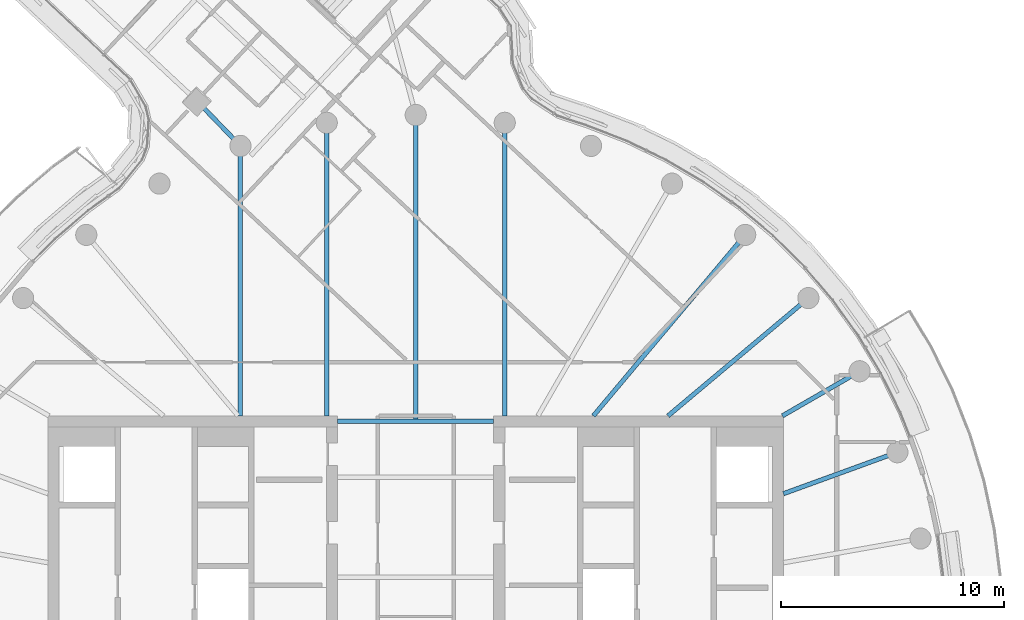
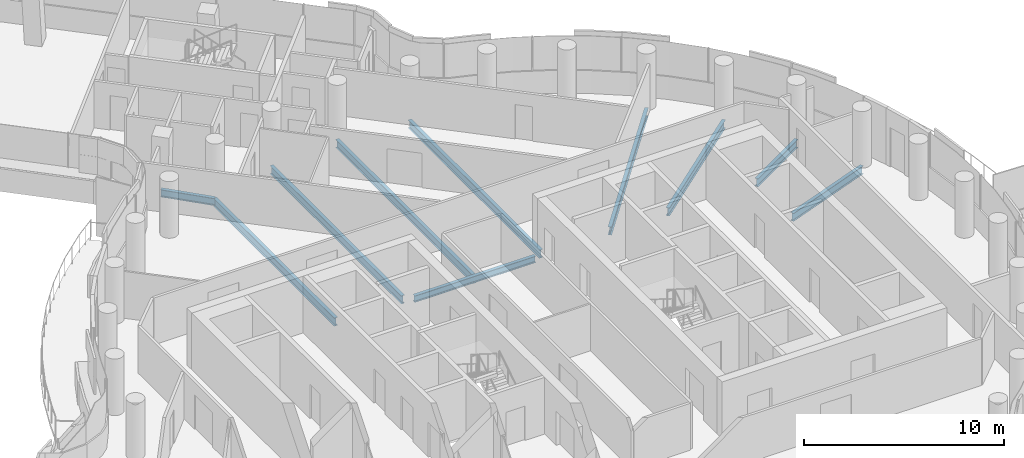
# One storey, part 10 of 30: 10 beams.
"""IFC4 building model written with IfcOpenShell, lengths in metres."""

from ifc_helpers import new_model, si_unit, direction, frame, origin, origin_2d, place, context, subcontext, project, spatial, i_section, extrude, material, material_profile, profile_set, type_object, element, save


model = new_model("IFC4")

# Units and contexts
model_context = context("Model", 3, precision=1e-05, world=origin(), true_north=direction((0.0, 1.0)))
body_context = subcontext(model_context, "Body", "Model", "MODEL_VIEW")
ifc_project = project(units=[si_unit("LENGTHUNIT", "METRE"), si_unit("AREAUNIT", "SQUARE_METRE"), si_unit("VOLUMEUNIT", "CUBIC_METRE"), si_unit("PLANEANGLEUNIT", "RADIAN"), si_unit("MASSUNIT", "GRAM", prefix="KILO")], contexts=[model_context])

# Site, building, storey
site_placement = place(None, origin())
site = spatial("IfcSite", under=ifc_project, at=site_placement, CompositionType="ELEMENT")
building_placement = place(site_placement, origin())
building = spatial("IfcBuilding", under=site, at=building_placement, Name="Tamarind Cross Interchange Tower", CompositionType="ELEMENT")
storey_placement = place(building_placement, frame((0.0, 0.0, 204.10009765625)))
storey = spatial("IfcBuildingStorey", under=building, at=storey_placement, Name="L51", CompositionType="ELEMENT", Elevation=204.10009765625)

# Beams
ifc_material = material(Name="Steel Q355B", Category="steel")
ifc_material_profile_1 = material_profile(ifc_material, i_section(OverallWidth=0.199951171875, OverallDepth=0.39990234375, WebThickness=0.008056640625, FlangeThickness=0.012939453125, FilletRadius=0.01611328125, at=origin_2d()), Name="HN 400x200x8x13")
ifc_profile_set_1 = profile_set([ifc_material_profile_1], Name="Steel Q355B")
beam_type_1 = type_object("IfcBeamType", Name="Composite beam HN 400x200x8x13 Q355B", PredefinedType="BEAM", material=ifc_profile_set_1)
beam_1_placement = place(storey_placement, frame((-3.5, 9.25, -0.340087890625), z_axis=(1.0, 0.0, 0.0), x_axis=(0.0, 1.0, 0.0)))
element("IfcBeam", 1, at=beam_1_placement, inside=storey, type_object=beam_type_1, Name="Beam G9.25", PredefinedType="BEAM", context=body_context, shape_type="SweptSolid", body=[
    extrude(i_section(OverallWidth=0.199951171875, OverallDepth=0.39990234375, WebThickness=0.008056640625, FlangeThickness=0.012939453125, FilletRadius=0.01611328125, at=origin_2d()), origin(), (0.0, 0.0, 1.0), 7.0),
])
ifc_material_profile_2 = material_profile(ifc_material, i_section(OverallWidth=0.198974609375, OverallDepth=0.446044921875, WebThickness=0.008056640625, FlangeThickness=0.011962890625, FilletRadius=0.012939453125, at=origin_2d()), Name="HN 446x199x8x12")
ifc_profile_set_2 = profile_set([ifc_material_profile_2], Name="Steel Q355B")
beam_type_2 = type_object("IfcBeamType", Name="Composite beam HN 446x199x8x12 Q355B", PredefinedType="BEAM", material=ifc_profile_set_2)
beam_2_placement = place(storey_placement, frame((-9.82177734375, 23.635498046875, -0.363037109375), z_axis=(0.695072940723, -0.718939223492, 0.0), x_axis=(0.718939223492, 0.695072940723, 0.0)))
element("IfcBeam", 2, at=beam_2_placement, inside=storey, type_object=beam_type_2, Name="Beam N-linkep", PredefinedType="BEAM", context=body_context, shape_type="SweptSolid", body=[
    extrude(i_section(OverallWidth=0.198974609375, OverallDepth=0.446044921875, WebThickness=0.008056640625, FlangeThickness=0.011962890625, FilletRadius=0.012939453125, at=origin_2d()), origin(), (0.0, 0.0, 1.0), 2.813232421875),
])
ifc_material_profile_3 = material_profile(ifc_material, i_section(OverallWidth=0.198974609375, OverallDepth=0.49609375, WebThickness=0.009033203125, FlangeThickness=0.013916015625, FilletRadius=0.012939453125, at=origin_2d()), Name="HN 496x199x9x14")
ifc_profile_set_3 = profile_set([ifc_material_profile_3], Name="Steel Q355B")
beam_type_3 = type_object("IfcBeamType", Name="Composite beam HN 496x199x9x14 Q355B", PredefinedType="BEAM", material=ifc_profile_set_3)
beam_3_placement = place(storey_placement, frame((21.613037109375, 7.866455078125, -0.38818359375), z_axis=(-0.939701685589, -0.341995236956, 0.0), x_axis=(0.341995236956, -0.939701685589, 0.0)))
element("IfcBeam", 3, at=beam_3_placement, inside=storey, type_object=beam_type_3, Name="Beam HH02", PredefinedType="BEAM", context=body_context, shape_type="SweptSolid", body=[
    extrude(i_section(OverallWidth=0.198974609375, OverallDepth=0.49609375, WebThickness=0.009033203125, FlangeThickness=0.013916015625, FilletRadius=0.012939453125, at=origin_2d()), origin(), (0.0, 0.0, 1.0), 5.441162109375),
])
beam_4_placement = place(storey_placement, frame((19.918701171875, 11.5, -0.38818359375), z_axis=(-0.866026010844, -0.49999894854, 0.0), x_axis=(0.49999894854, -0.866026010844, 0.0)))
element("IfcBeam", 4, at=beam_4_placement, inside=storey, type_object=beam_type_3, Name="Beam HH03", PredefinedType="BEAM", context=body_context, shape_type="SweptSolid", body=[
    extrude(i_section(OverallWidth=0.198974609375, OverallDepth=0.49609375, WebThickness=0.009033203125, FlangeThickness=0.013916015625, FilletRadius=0.012939453125, at=origin_2d()), origin(), (0.0, 0.0, 1.0), 4.0),
])
beam_5_placement = place(storey_placement, frame((17.619140625, 14.7841796875, -0.38818359375), z_axis=(-0.766040580814, -0.642792212574, 0.0), x_axis=(0.642792212574, -0.766040580814, 0.0)))
element("IfcBeam", 5, at=beam_5_placement, inside=storey, type_object=beam_type_3, Name="Beam HH04", PredefinedType="BEAM", context=body_context, shape_type="SweptSolid", body=[
    extrude(i_section(OverallWidth=0.198974609375, OverallDepth=0.49609375, WebThickness=0.009033203125, FlangeThickness=0.013916015625, FilletRadius=0.012939453125, at=origin_2d()), origin(), (0.0, 0.0, 1.0), 8.220703125),
])
beam_6_placement = place(storey_placement, frame((14.7841796875, 17.619140625, -0.38818359375), z_axis=(-0.642786293979, -0.766045547127, 0.0), x_axis=(0.766045547127, -0.642786293979, 0.0)))
element("IfcBeam", 6, at=beam_6_placement, inside=storey, type_object=beam_type_3, Name="Beam HH05", PredefinedType="BEAM", context=body_context, shape_type="SweptSolid", body=[
    extrude(i_section(OverallWidth=0.198974609375, OverallDepth=0.49609375, WebThickness=0.009033203125, FlangeThickness=0.013916015625, FilletRadius=0.012939453125, at=origin_2d()), origin(), (0.0, 0.0, 1.0), 10.598876953125),
])
beam_7_placement = place(storey_placement, frame((3.993896484375, 22.650634765625, -0.38818359375), z_axis=(0.0, -1.0, 0.0), x_axis=(1.0, 0.0, 0.0)))
element("IfcBeam", 7, at=beam_7_placement, inside=storey, type_object=beam_type_3, Name="Beam HH08", PredefinedType="BEAM", context=body_context, shape_type="SweptSolid", body=[
    extrude(i_section(OverallWidth=0.198974609375, OverallDepth=0.49609375, WebThickness=0.009033203125, FlangeThickness=0.013916015625, FilletRadius=0.012939453125, at=origin_2d()), origin(), (0.0, 0.0, 1.0), 13.150634765625),
])
beam_8_placement = place(storey_placement, frame((0.0, 23.0, -0.38818359375), z_axis=(0.0, -1.0, 0.0), x_axis=(1.0, 0.0, 0.0)))
element("IfcBeam", 8, at=beam_8_placement, inside=storey, type_object=beam_type_3, Name="Beam HH09", PredefinedType="BEAM", context=body_context, shape_type="SweptSolid", body=[
    extrude(i_section(OverallWidth=0.198974609375, OverallDepth=0.49609375, WebThickness=0.009033203125, FlangeThickness=0.013916015625, FilletRadius=0.012939453125, at=origin_2d()), origin(), (0.0, 0.0, 1.0), 13.75),
])
beam_9_placement = place(storey_placement, frame((-3.993896484375, 22.650634765625, -0.38818359375), z_axis=(0.0, -1.0, 0.0), x_axis=(1.0, 0.0, 0.0)))
element("IfcBeam", 9, at=beam_9_placement, inside=storey, type_object=beam_type_3, Name="Beam HH10", PredefinedType="BEAM", context=body_context, shape_type="SweptSolid", body=[
    extrude(i_section(OverallWidth=0.198974609375, OverallDepth=0.49609375, WebThickness=0.009033203125, FlangeThickness=0.013916015625, FilletRadius=0.012939453125, at=origin_2d()), origin(), (0.0, 0.0, 1.0), 13.150634765625),
])
beam_10_placement = place(storey_placement, frame((-7.866455078125, 21.613037109375, -0.38818359375), z_axis=(0.0, -1.0, 0.0), x_axis=(1.0, 0.0, 0.0)))
element("IfcBeam", 10, at=beam_10_placement, inside=storey, type_object=beam_type_3, Name="Beam HH11", PredefinedType="BEAM", context=body_context, shape_type="SweptSolid", body=[
    extrude(i_section(OverallWidth=0.198974609375, OverallDepth=0.49609375, WebThickness=0.009033203125, FlangeThickness=0.013916015625, FilletRadius=0.012939453125, at=origin_2d()), origin(), (0.0, 0.0, 1.0), 12.113037109375),
])

save(model, "model.ifc")
